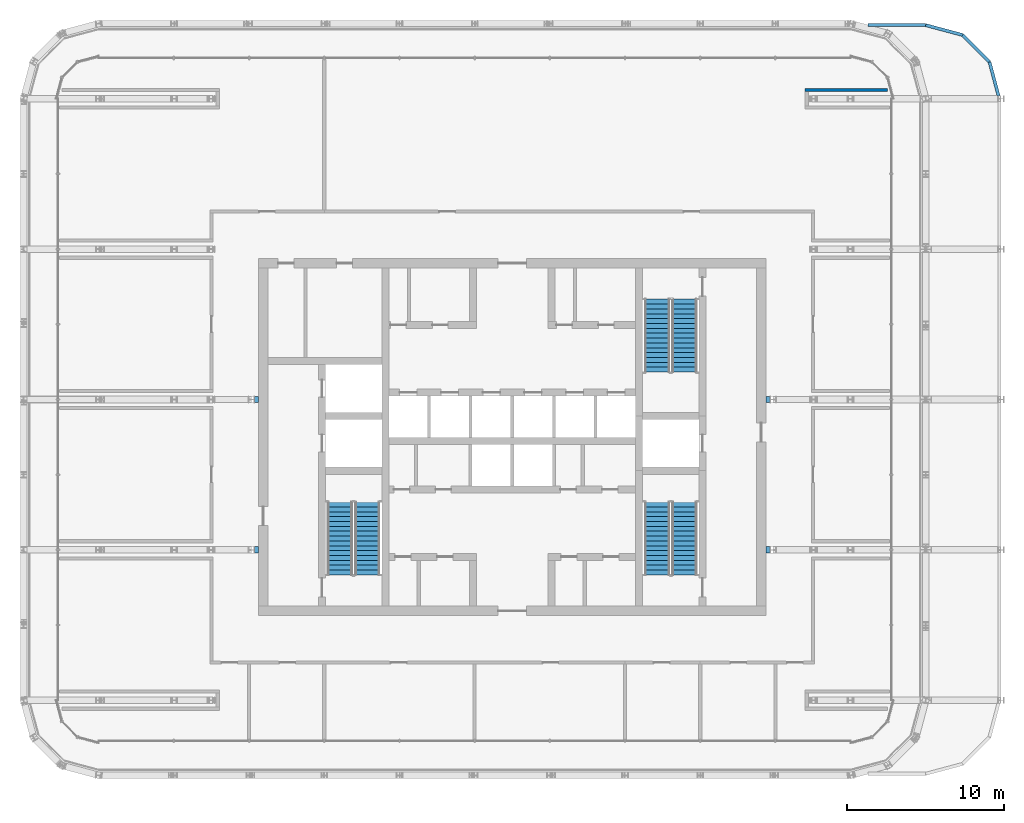
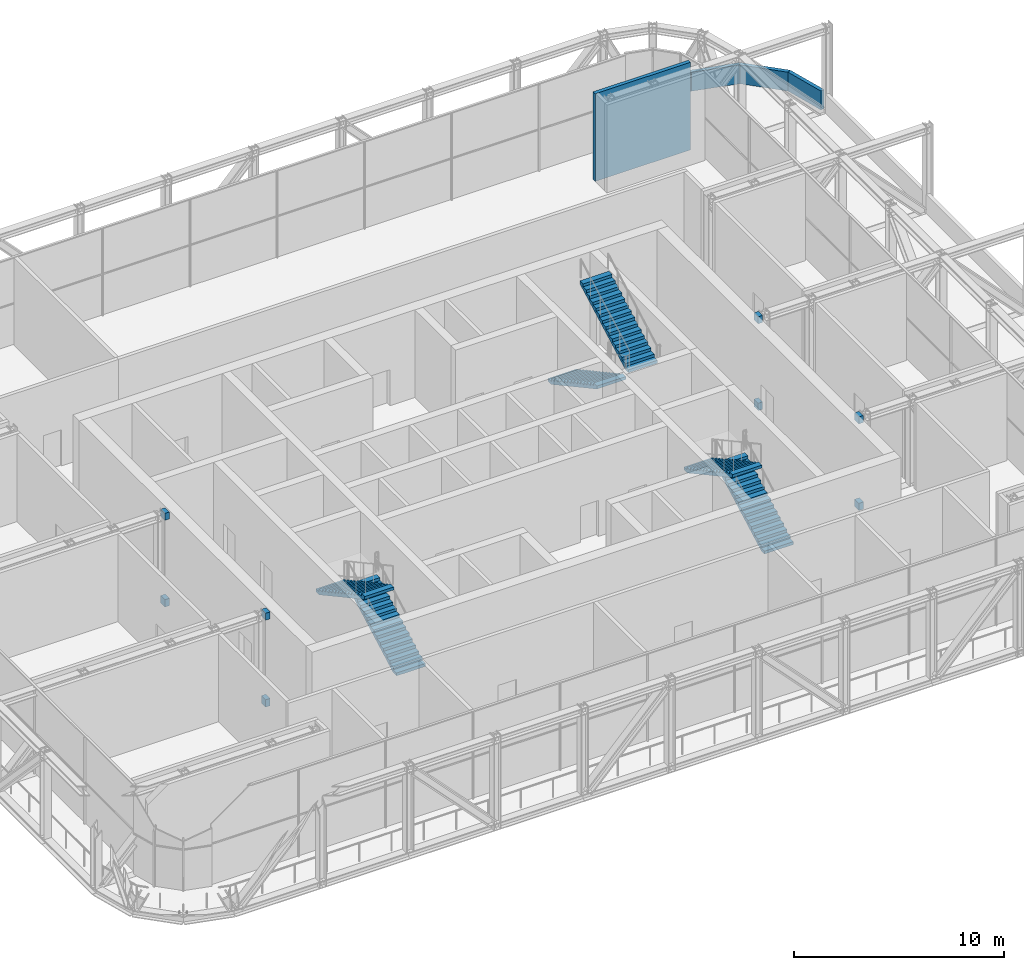
# One storey, part 21 of 26: 8 discrete accessories, 6 stair flights, 5 walls, 3 elements without a shape of their own.
"""IFC4 building model written with IfcOpenShell, lengths in metres."""

from ifc_helpers import new_model, si_unit, direction, frame, frame_2d, origin, origin_2d, place, context, subcontext, project, spatial, polyline, rectangle, outline, extrude, material, layer, layer_set, type_object, element, aggregate, save


model = new_model("IFC4")

# Units and contexts
model_context = context("Model", 3, precision=1e-05, world=origin(), true_north=direction((0.0, 1.0)))
body_context = subcontext(model_context, "Body", "Model", "MODEL_VIEW")
ifc_project = project(units=[si_unit("LENGTHUNIT", "METRE"), si_unit("AREAUNIT", "SQUARE_METRE"), si_unit("VOLUMEUNIT", "CUBIC_METRE"), si_unit("PLANEANGLEUNIT", "RADIAN"), si_unit("MASSUNIT", "GRAM", prefix="KILO")], contexts=[model_context])

# Site, building, storey
site_placement = place(None, origin())
site = spatial("IfcSite", under=ifc_project, at=site_placement, CompositionType="ELEMENT")
building_placement = place(site_placement, origin())
building = spatial("IfcBuilding", under=site, at=building_placement, Name="Madar Terraces", CompositionType="ELEMENT")
storey_placement = place(building_placement, frame((0.0, 0.0, 233.300048828125)))
storey = spatial("IfcBuildingStorey", under=building, at=storey_placement, Name="L61", CompositionType="ELEMENT", Elevation=233.300048828125)

# Walls
ifc_material_1 = material(Name="Gypsum board partition on metal studs")
ifc_layer_1 = layer(ifc_material_1, 0.199951171875)
ifc_layer_set_1 = layer_set([ifc_layer_1], Name="Partition 200 plain")
wall_type_1 = type_object("IfcWallType", Name="Partition 200 plain", PredefinedType="PARTITIONING", material=ifc_layer_set_1)
wall_1_placement = place(storey_placement, frame((49.89990234375, 48.550048828125, 0.0), z_axis=(0.0, 0.0, 1.0), x_axis=(1.0, 0.0, 0.0)))
element("IfcWall", 1, at=wall_1_placement, inside=storey, type_object=wall_type_1, Name="Wall REFUGE AREA R4 / TRUSS SLOT", PredefinedType="PARTITIONING", context=body_context, shape_type="SweptSolid", body=[
    extrude(rectangle(XDim=5.25, YDim=0.199951171875, at=frame_2d((2.625, 0.0))), origin(), (0.0, 0.0, 1.0), 5.099853515625),
])
ifc_material_2 = material(Name="Concrete C40/50", Category="concrete")
ifc_layer_2 = layer(ifc_material_2, 0.199951171875)
ifc_layer_set_2 = layer_set([ifc_layer_2], Name="Roof parapet 200")
wall_type_2 = type_object("IfcWallType", Name="Roof parapet 200", PredefinedType="PARAPET", material=ifc_layer_set_2)
wall_2_placement = place(storey_placement, frame((62.25048828125, 48.1845703125, 0.0400390625), z_axis=(0.0, 0.0, 1.0), x_axis=(-0.258746971992, 0.965945135339, 0.0)))
element("IfcWall", 2, at=wall_2_placement, inside=storey, type_object=wall_type_2, Name="Roof parapet", PredefinedType="PARAPET", context=body_context, shape_type="SweptSolid", body=[
    extrude(rectangle(XDim=2.241943359375, YDim=0.199951171875, at=frame_2d((1.12109375, 0.0))), origin(), (0.0, 0.0, 1.0), 1.099853515625),
])
for number, where, z_axis, x_axis, name in (
    (3, (61.67041015625, 50.35009765625, 0.0400390625), (0.0, 0.0, 1.0), (-0.707156953733, 0.70705660508, 0.0), "Roof parapet"),
    (4, (59.949951171875, 52.0703125, 0.0400390625), (0.0, 0.0, 1.0), (-0.965926101694, 0.258818017275, 0.0), "Roof parapet"),
):
    element("IfcWall", number, at=place(storey_placement, frame(where, z_axis=z_axis, x_axis=x_axis)), inside=storey, type_object=wall_type_2, Name=name, PredefinedType="PARAPET", context=body_context, shape_type="SweptSolid", body=[
        extrude(rectangle(XDim=2.432861328125, YDim=0.199951171875, at=frame_2d((1.21630859375, 0.0))), origin(), (0.0, 0.0, 1.0), 1.099853515625),
    ])
wall_3_placement = place(storey_placement, frame((57.60009765625, 52.699951171875, 0.0400390625), z_axis=(0.0, 0.0, 1.0), x_axis=(-1.0, 0.0, 0.0)))
element("IfcWall", 5, at=wall_3_placement, inside=storey, type_object=wall_type_2, Name="Roof parapet", PredefinedType="PARAPET", context=body_context, shape_type="SweptSolid", body=[
    extrude(rectangle(XDim=3.67919921875, YDim=0.199951171875, at=frame_2d((1.839599609375, 0.0))), origin(), (0.0, 0.0, 1.0), 1.099853515625),
])

# Stair, stair flights
ifc_material_3 = material(Name="Concrete C50/60", Category="concrete")
stair_type_1 = type_object("IfcStairType", Name="Stair ST1 protected exit", PredefinedType="HALF_TURN_STAIR", material=ifc_material_3)
stair_1_placement = place(storey_placement, origin())
stair_1 = element("IfcStair", 6, at=stair_1_placement, inside=storey, type_object=stair_type_1, Name="L61 Protected Exit Stair ST1", PredefinedType="HALF_TURN_STAIR")
ifc_material_4 = material(Name="Concrete C50/60", Category="concrete")
stair_flight_type_1 = type_object("IfcStairFlightType", Name="Stair flight ST1-F3, 1600 wide, 16 risers", PredefinedType="STRAIGHT", material=ifc_material_4)
stair_flight_1_placement = place(storey_placement, frame((21.949951171875, 17.60009765625, 0.0), z_axis=(0.0, 0.0, 1.0), x_axis=(0.0, 1.0, 0.0)))
stair_flight_1 = element("IfcStairFlight", 7, at=stair_flight_1_placement, type_object=stair_flight_type_1, Name="ST1 flight 1", NumberOfRisers=16, NumberOfTreads=15, PredefinedType="STRAIGHT", RiserHeight=0.16875, TreadLength=0.31, context=body_context, shape_type="SweptSolid", body=[
    extrude(outline(polyline([(0.0, 0.0), (0.0, 0.168701171875), (0.31005859375, 0.168701171875), (0.31005859375, 0.33740234375), (0.6201171875, 0.33740234375), (0.6201171875, 0.50634765625), (0.929931640625, 0.50634765625), (0.929931640625, 0.675048828125), (1.239990234375, 0.675048828125), (1.239990234375, 0.84375), (1.550048828125, 0.84375), (1.550048828125, 1.012451171875), (1.860107421875, 1.012451171875), (1.860107421875, 1.18115234375), (2.169921875, 1.18115234375), (2.169921875, 1.35009765625), (2.47998046875, 1.35009765625), (2.47998046875, 1.518798828125), (2.7900390625, 1.518798828125), (2.7900390625, 1.6875), (3.10009765625, 1.6875), (3.10009765625, 1.856201171875), (3.409912109375, 1.856201171875), (3.409912109375, 2.02490234375), (3.719970703125, 2.02490234375), (3.719970703125, 2.19384765625), (4.030029296875, 2.19384765625), (4.030029296875, 2.362548828125), (4.340087890625, 2.362548828125), (4.340087890625, 2.53125), (4.64990234375, 2.53125), (4.64990234375, 2.699951171875), (4.64990234375, 2.360595703125), (0.3134765625, 0.0), (0.0, 0.0)])), frame((0.0, 0.800048828125, 0.0), z_axis=(0.0, -1.0, 0.0), x_axis=(1.0, 0.0, 0.0)), (0.0, 0.0, 1.0), 1.60009765625),
])
stair_flight_2_placement = place(storey_placement, frame((20.199951171875, 22.25, 2.699951171875), z_axis=(0.0, 0.0, 1.0), x_axis=(0.0, -1.0, 0.0)))
stair_flight_2 = element("IfcStairFlight", 8, at=stair_flight_2_placement, type_object=stair_flight_type_1, Name="ST1 flight 2", NumberOfRisers=16, NumberOfTreads=15, PredefinedType="STRAIGHT", RiserHeight=0.16875, TreadLength=0.31, context=body_context, shape_type="SweptSolid", body=[
    extrude(outline(polyline([(0.0, 0.0), (0.0, 0.168701171875), (0.31005859375, 0.168701171875), (0.31005859375, 0.33740234375), (0.6201171875, 0.33740234375), (0.6201171875, 0.50634765625), (0.929931640625, 0.50634765625), (0.929931640625, 0.675048828125), (1.239990234375, 0.675048828125), (1.239990234375, 0.84375), (1.550048828125, 0.84375), (1.550048828125, 1.012451171875), (1.860107421875, 1.012451171875), (1.860107421875, 1.18115234375), (2.169921875, 1.18115234375), (2.169921875, 1.35009765625), (2.47998046875, 1.35009765625), (2.47998046875, 1.518798828125), (2.7900390625, 1.518798828125), (2.7900390625, 1.6875), (3.10009765625, 1.6875), (3.10009765625, 1.856201171875), (3.409912109375, 1.856201171875), (3.409912109375, 2.02490234375), (3.719970703125, 2.02490234375), (3.719970703125, 2.19384765625), (4.030029296875, 2.19384765625), (4.030029296875, 2.362548828125), (4.340087890625, 2.362548828125), (4.340087890625, 2.53125), (4.64990234375, 2.53125), (4.64990234375, 2.699951171875), (4.64990234375, 2.360595703125), (0.3134765625, 0.0), (0.0, 0.0)])), frame((0.0, 0.800048828125, 0.0), z_axis=(0.0, -1.0, 0.0), x_axis=(1.0, 0.0, 0.0)), (0.0, 0.0, 1.0), 1.60009765625),
])
aggregate(stair_1, [stair_flight_1, stair_flight_2])

ifc_material_5 = material(Name="Concrete C50/60", Category="concrete")
stair_type_2 = type_object("IfcStairType", Name="Stair ST2 protected exit", PredefinedType="HALF_TURN_STAIR", material=ifc_material_5)
stair_2_placement = place(storey_placement, origin())
stair_2 = element("IfcStair", 9, at=stair_2_placement, inside=storey, type_object=stair_type_2, Name="L61 Protected Exit Stair ST2", PredefinedType="HALF_TURN_STAIR")
ifc_material_6 = material(Name="Concrete C50/60", Category="concrete")
stair_flight_type_2 = type_object("IfcStairFlightType", Name="Stair flight ST2-F3, 1600 wide, 16 risers", PredefinedType="STRAIGHT", material=ifc_material_6)
stair_flight_3_placement = place(storey_placement, frame((40.449951171875, 35.199951171875, 0.0), z_axis=(0.0, 0.0, 1.0), x_axis=(0.0, -1.0, 0.0)))
stair_flight_3 = element("IfcStairFlight", 10, at=stair_flight_3_placement, type_object=stair_flight_type_2, Name="ST2 flight 1", NumberOfRisers=16, NumberOfTreads=15, PredefinedType="STRAIGHT", RiserHeight=0.16875, TreadLength=0.31, context=body_context, shape_type="SweptSolid", body=[
    extrude(outline(polyline([(0.0, 0.0), (0.0, 0.168701171875), (0.31005859375, 0.168701171875), (0.31005859375, 0.33740234375), (0.6201171875, 0.33740234375), (0.6201171875, 0.50634765625), (0.929931640625, 0.50634765625), (0.929931640625, 0.675048828125), (1.239990234375, 0.675048828125), (1.239990234375, 0.84375), (1.550048828125, 0.84375), (1.550048828125, 1.012451171875), (1.860107421875, 1.012451171875), (1.860107421875, 1.18115234375), (2.169921875, 1.18115234375), (2.169921875, 1.35009765625), (2.47998046875, 1.35009765625), (2.47998046875, 1.518798828125), (2.7900390625, 1.518798828125), (2.7900390625, 1.6875), (3.10009765625, 1.6875), (3.10009765625, 1.856201171875), (3.409912109375, 1.856201171875), (3.409912109375, 2.02490234375), (3.719970703125, 2.02490234375), (3.719970703125, 2.19384765625), (4.030029296875, 2.19384765625), (4.030029296875, 2.362548828125), (4.340087890625, 2.362548828125), (4.340087890625, 2.53125), (4.64990234375, 2.53125), (4.64990234375, 2.699951171875), (4.64990234375, 2.360595703125), (0.3134765625, 0.0), (0.0, 0.0)])), frame((0.0, 0.800048828125, 0.0), z_axis=(0.0, -1.0, 0.0), x_axis=(1.0, 0.0, 0.0)), (0.0, 0.0, 1.0), 1.60009765625),
])
stair_flight_4_placement = place(storey_placement, frame((42.199951171875, 30.550048828125, 2.699951171875), z_axis=(0.0, 0.0, 1.0), x_axis=(0.0, 1.0, 0.0)))
stair_flight_4 = element("IfcStairFlight", 11, at=stair_flight_4_placement, type_object=stair_flight_type_2, Name="ST2 flight 2", NumberOfRisers=16, NumberOfTreads=15, PredefinedType="STRAIGHT", RiserHeight=0.16875, TreadLength=0.31, context=body_context, shape_type="SweptSolid", body=[
    extrude(outline(polyline([(0.0, 0.0), (0.0, 0.168701171875), (0.31005859375, 0.168701171875), (0.31005859375, 0.33740234375), (0.6201171875, 0.33740234375), (0.6201171875, 0.50634765625), (0.929931640625, 0.50634765625), (0.929931640625, 0.675048828125), (1.239990234375, 0.675048828125), (1.239990234375, 0.84375), (1.550048828125, 0.84375), (1.550048828125, 1.012451171875), (1.860107421875, 1.012451171875), (1.860107421875, 1.18115234375), (2.169921875, 1.18115234375), (2.169921875, 1.35009765625), (2.47998046875, 1.35009765625), (2.47998046875, 1.518798828125), (2.7900390625, 1.518798828125), (2.7900390625, 1.6875), (3.10009765625, 1.6875), (3.10009765625, 1.856201171875), (3.409912109375, 1.856201171875), (3.409912109375, 2.02490234375), (3.719970703125, 2.02490234375), (3.719970703125, 2.19384765625), (4.030029296875, 2.19384765625), (4.030029296875, 2.362548828125), (4.340087890625, 2.362548828125), (4.340087890625, 2.53125), (4.64990234375, 2.53125), (4.64990234375, 2.699951171875), (4.64990234375, 2.360595703125), (0.3134765625, 0.0), (0.0, 0.0)])), frame((0.0, 0.800048828125, 0.0), z_axis=(0.0, -1.0, 0.0), x_axis=(1.0, 0.0, 0.0)), (0.0, 0.0, 1.0), 1.60009765625),
])
aggregate(stair_2, [stair_flight_3, stair_flight_4])

ifc_material_7 = material(Name="Concrete C50/60", Category="concrete")
stair_type_3 = type_object("IfcStairType", Name="Stair ST3 protected exit", PredefinedType="HALF_TURN_STAIR", material=ifc_material_7)
stair_3_placement = place(storey_placement, origin())
stair_3 = element("IfcStair", 12, at=stair_3_placement, inside=storey, type_object=stair_type_3, Name="L61 Protected Exit Stair ST3", PredefinedType="HALF_TURN_STAIR")
ifc_material_8 = material(Name="Concrete C50/60", Category="concrete")
stair_flight_type_3 = type_object("IfcStairFlightType", Name="Stair flight ST3-F3, 1600 wide, 16 risers", PredefinedType="STRAIGHT", material=ifc_material_8)
stair_flight_5_placement = place(storey_placement, frame((42.199951171875, 17.60009765625, 0.0), z_axis=(0.0, 0.0, 1.0), x_axis=(0.0, 1.0, 0.0)))
stair_flight_5 = element("IfcStairFlight", 13, at=stair_flight_5_placement, type_object=stair_flight_type_3, Name="ST3 flight 1", NumberOfRisers=16, NumberOfTreads=15, PredefinedType="STRAIGHT", RiserHeight=0.16875, TreadLength=0.31, context=body_context, shape_type="SweptSolid", body=[
    extrude(outline(polyline([(0.0, 0.0), (0.0, 0.168701171875), (0.31005859375, 0.168701171875), (0.31005859375, 0.33740234375), (0.6201171875, 0.33740234375), (0.6201171875, 0.50634765625), (0.929931640625, 0.50634765625), (0.929931640625, 0.675048828125), (1.239990234375, 0.675048828125), (1.239990234375, 0.84375), (1.550048828125, 0.84375), (1.550048828125, 1.012451171875), (1.860107421875, 1.012451171875), (1.860107421875, 1.18115234375), (2.169921875, 1.18115234375), (2.169921875, 1.35009765625), (2.47998046875, 1.35009765625), (2.47998046875, 1.518798828125), (2.7900390625, 1.518798828125), (2.7900390625, 1.6875), (3.10009765625, 1.6875), (3.10009765625, 1.856201171875), (3.409912109375, 1.856201171875), (3.409912109375, 2.02490234375), (3.719970703125, 2.02490234375), (3.719970703125, 2.19384765625), (4.030029296875, 2.19384765625), (4.030029296875, 2.362548828125), (4.340087890625, 2.362548828125), (4.340087890625, 2.53125), (4.64990234375, 2.53125), (4.64990234375, 2.699951171875), (4.64990234375, 2.360595703125), (0.3134765625, 0.0), (0.0, 0.0)])), frame((0.0, 0.800048828125, 0.0), z_axis=(0.0, -1.0, 0.0), x_axis=(1.0, 0.0, 0.0)), (0.0, 0.0, 1.0), 1.60009765625),
])
stair_flight_6_placement = place(storey_placement, frame((40.449951171875, 22.25, 2.699951171875), z_axis=(0.0, 0.0, 1.0), x_axis=(0.0, -1.0, 0.0)))
stair_flight_6 = element("IfcStairFlight", 14, at=stair_flight_6_placement, type_object=stair_flight_type_3, Name="ST3 flight 2", NumberOfRisers=16, NumberOfTreads=15, PredefinedType="STRAIGHT", RiserHeight=0.16875, TreadLength=0.31, context=body_context, shape_type="SweptSolid", body=[
    extrude(outline(polyline([(0.0, 0.0), (0.0, 0.168701171875), (0.31005859375, 0.168701171875), (0.31005859375, 0.33740234375), (0.6201171875, 0.33740234375), (0.6201171875, 0.50634765625), (0.929931640625, 0.50634765625), (0.929931640625, 0.675048828125), (1.239990234375, 0.675048828125), (1.239990234375, 0.84375), (1.550048828125, 0.84375), (1.550048828125, 1.012451171875), (1.860107421875, 1.012451171875), (1.860107421875, 1.18115234375), (2.169921875, 1.18115234375), (2.169921875, 1.35009765625), (2.47998046875, 1.35009765625), (2.47998046875, 1.518798828125), (2.7900390625, 1.518798828125), (2.7900390625, 1.6875), (3.10009765625, 1.6875), (3.10009765625, 1.856201171875), (3.409912109375, 1.856201171875), (3.409912109375, 2.02490234375), (3.719970703125, 2.02490234375), (3.719970703125, 2.19384765625), (4.030029296875, 2.19384765625), (4.030029296875, 2.362548828125), (4.340087890625, 2.362548828125), (4.340087890625, 2.53125), (4.64990234375, 2.53125), (4.64990234375, 2.699951171875), (4.64990234375, 2.360595703125), (0.3134765625, 0.0), (0.0, 0.0)])), frame((0.0, 0.800048828125, 0.0), z_axis=(0.0, -1.0, 0.0), x_axis=(1.0, 0.0, 0.0)), (0.0, 0.0, 1.0), 1.60009765625),
])
aggregate(stair_3, [stair_flight_5, stair_flight_6])

# Discrete accessories
ifc_material_9 = material(Name="Steel, galvanised", Category="steel")
discrete_accessory_type = type_object("IfcDiscreteAccessoryType", Name="Truss bearing plate", PredefinedType="BRACKET", material=ifc_material_9)
discrete_accessory_1_placement = place(storey_placement, frame((14.874755859375, 19.199951171875, -0.419921875), z_axis=(0.0, 0.0, 1.0), x_axis=(1.0, 0.0, 0.0)))
element("IfcDiscreteAccessory", 15, at=discrete_accessory_1_placement, inside=storey, type_object=discrete_accessory_type, Name="Truss bearing plate bottom", PredefinedType="BRACKET", context=body_context, shape_type="SweptSolid", body=[
    extrude(rectangle(XDim=0.25048828125, YDim=0.408935546875, at=origin_2d()), origin(), (0.0, 0.0, 1.0), 0.424072265625),
])
discrete_accessory_2_placement = place(storey_placement, frame((14.874755859375, 19.199951171875, 4.62353515625), z_axis=(0.0, 0.0, 1.0), x_axis=(1.0, 0.0, 0.0)))
element("IfcDiscreteAccessory", 16, at=discrete_accessory_2_placement, inside=storey, type_object=discrete_accessory_type, Name="Truss bearing plate top", PredefinedType="BRACKET", context=body_context, shape_type="SweptSolid", body=[
    extrude(rectangle(XDim=0.25048828125, YDim=0.40380859375, at=origin_2d()), origin(), (0.0, 0.0, 1.0), 0.406494140625),
])
discrete_accessory_3_placement = place(storey_placement, frame((14.874755859375, 28.800048828125, -0.419921875), z_axis=(0.0, 0.0, 1.0), x_axis=(1.0, 0.0, 0.0)))
element("IfcDiscreteAccessory", 17, at=discrete_accessory_3_placement, inside=storey, type_object=discrete_accessory_type, Name="Truss bearing plate bottom", PredefinedType="BRACKET", context=body_context, shape_type="SweptSolid", body=[
    extrude(rectangle(XDim=0.25048828125, YDim=0.408935546875, at=origin_2d()), origin(), (0.0, 0.0, 1.0), 0.424072265625),
])
discrete_accessory_4_placement = place(storey_placement, frame((14.874755859375, 28.800048828125, 4.62353515625), z_axis=(0.0, 0.0, 1.0), x_axis=(1.0, 0.0, 0.0)))
element("IfcDiscreteAccessory", 18, at=discrete_accessory_4_placement, inside=storey, type_object=discrete_accessory_type, Name="Truss bearing plate top", PredefinedType="BRACKET", context=body_context, shape_type="SweptSolid", body=[
    extrude(rectangle(XDim=0.25048828125, YDim=0.40380859375, at=origin_2d()), origin(), (0.0, 0.0, 1.0), 0.406494140625),
])
discrete_accessory_5_placement = place(storey_placement, frame((47.525390625, 19.199951171875, -0.419921875), z_axis=(0.0, 0.0, 1.0), x_axis=(1.0, 0.0, 0.0)))
element("IfcDiscreteAccessory", 19, at=discrete_accessory_5_placement, inside=storey, type_object=discrete_accessory_type, Name="Truss bearing plate bottom", PredefinedType="BRACKET", context=body_context, shape_type="SweptSolid", body=[
    extrude(rectangle(XDim=0.25048828125, YDim=0.408935546875, at=origin_2d()), origin(), (0.0, 0.0, 1.0), 0.424072265625),
])
discrete_accessory_6_placement = place(storey_placement, frame((47.525390625, 19.199951171875, 4.62353515625), z_axis=(0.0, 0.0, 1.0), x_axis=(1.0, 0.0, 0.0)))
element("IfcDiscreteAccessory", 20, at=discrete_accessory_6_placement, inside=storey, type_object=discrete_accessory_type, Name="Truss bearing plate top", PredefinedType="BRACKET", context=body_context, shape_type="SweptSolid", body=[
    extrude(rectangle(XDim=0.25048828125, YDim=0.40380859375, at=origin_2d()), origin(), (0.0, 0.0, 1.0), 0.406494140625),
])
discrete_accessory_7_placement = place(storey_placement, frame((47.525390625, 28.800048828125, -0.419921875), z_axis=(0.0, 0.0, 1.0), x_axis=(1.0, 0.0, 0.0)))
element("IfcDiscreteAccessory", 21, at=discrete_accessory_7_placement, inside=storey, type_object=discrete_accessory_type, Name="Truss bearing plate bottom", PredefinedType="BRACKET", context=body_context, shape_type="SweptSolid", body=[
    extrude(rectangle(XDim=0.25048828125, YDim=0.408935546875, at=origin_2d()), origin(), (0.0, 0.0, 1.0), 0.424072265625),
])
discrete_accessory_8_placement = place(storey_placement, frame((47.525390625, 28.800048828125, 4.62353515625), z_axis=(0.0, 0.0, 1.0), x_axis=(1.0, 0.0, 0.0)))
element("IfcDiscreteAccessory", 22, at=discrete_accessory_8_placement, inside=storey, type_object=discrete_accessory_type, Name="Truss bearing plate top", PredefinedType="BRACKET", context=body_context, shape_type="SweptSolid", body=[
    extrude(rectangle(XDim=0.25048828125, YDim=0.40380859375, at=origin_2d()), origin(), (0.0, 0.0, 1.0), 0.406494140625),
])

save(model, "model.ifc")
